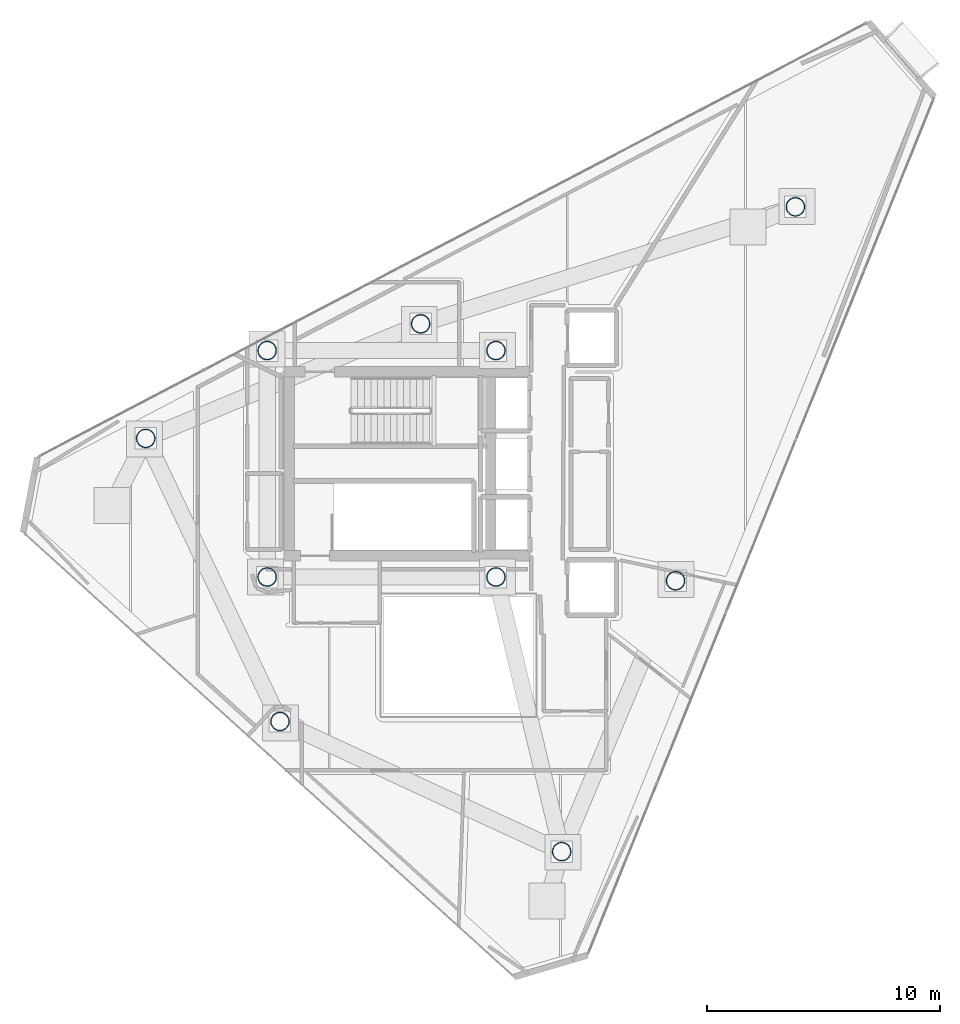
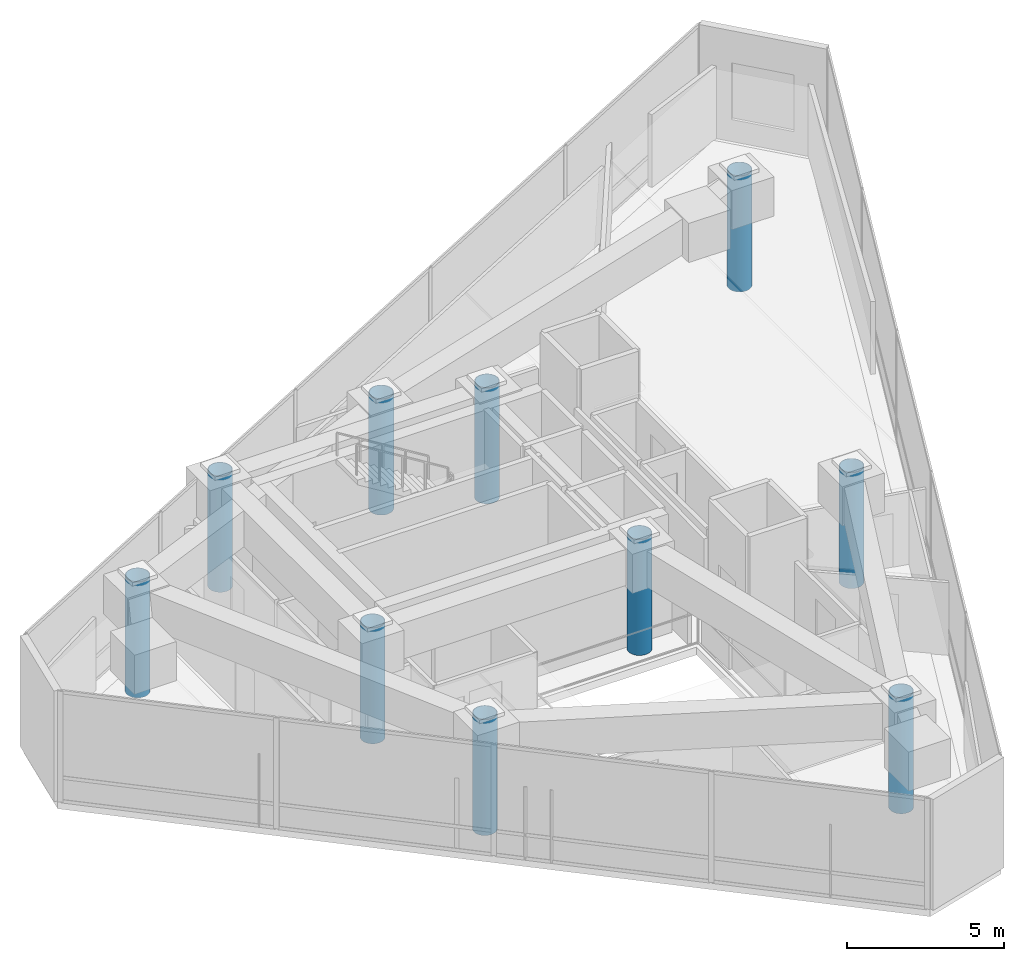
# One storey, part 1 of 17: 10 columns.
"""IFC4 building model written with IfcOpenShell, lengths in metres."""

from ifc_helpers import new_model, si_unit, direction, frame, origin, origin_2d, place, context, subcontext, project, spatial, hollow_circle, extrude, material, material_profile, profile_set, type_object, element, save


model = new_model("IFC4")

# Units and contexts
model_context = context("Model", 3, precision=1e-05, world=origin(), true_north=direction((0.0, 1.0)))
body_context = subcontext(model_context, "Body", "Model", "MODEL_VIEW")
ifc_project = project(units=[si_unit("LENGTHUNIT", "METRE"), si_unit("AREAUNIT", "SQUARE_METRE"), si_unit("VOLUMEUNIT", "CUBIC_METRE"), si_unit("PLANEANGLEUNIT", "RADIAN"), si_unit("MASSUNIT", "GRAM", prefix="KILO")], contexts=[model_context])

# Site, building, storey
site_placement = place(None, origin())
site = spatial("IfcSite", under=ifc_project, at=site_placement, CompositionType="ELEMENT")
building_placement = place(site_placement, origin())
building = spatial("IfcBuilding", under=site, at=building_placement, Name="Qianvela Tower", CompositionType="ELEMENT")
storey_placement = place(building_placement, frame((0.0, 0.0, 351.800048828125)))
storey = spatial("IfcBuildingStorey", under=building, at=storey_placement, Name="L91", CompositionType="ELEMENT", Elevation=351.800048828125)

# Columns
ifc_material = material(Name="Steel Q420GJC", Category="steel")
ifc_material_profile = material_profile(ifc_material, hollow_circle(Radius=0.39990234375, WallThickness=0.02197265625, at=origin_2d()), Name="CFT-800x22")
ifc_profile_set = profile_set([ifc_material_profile], Name="Steel Q420GJC")
column_type = type_object("IfcColumnType", Name="COL-CFT-800x22", PredefinedType="COLUMN", material=ifc_profile_set)
for number, where, z_axis, x_axis, name in (
    (1, (28.60009765625, 33.550048828125, 0.0), (0.0, 0.0, 1.0), (1.0, 0.0, 0.0), "L91 Core Corner Mega-Column CC-NW"),
    (2, (28.60009765625, 23.85009765625, 0.0), (0.0, 0.0, 1.0), (1.0, 0.0, 0.0), "L91 Core Corner Mega-Column CC-SW"),
    (3, (38.39990234375, 33.550048828125, 0.0), (0.0, 0.0, 1.0), (1.0, 0.0, 0.0), "L91 Core Corner Mega-Column CC-NE"),
    (4, (38.39990234375, 23.85009765625, 0.0), (0.0, 0.0, 1.0), (1.0, 0.0, 0.0), "L91 Core Corner Mega-Column CC-SE"),
    (5, (51.22705078125, 39.7080078125, 0.0), (0.0, 0.0, 1.0), (1.0, 0.0, 0.0), "L91 Zone Z8 CFT Mega-Column C1"),
    (6, (35.177001953125, 34.695068359375, 0.0), (0.0, 0.0, 1.0), (1.0, 0.0, 0.0), "L91 Zone Z8 CFT Mega-Column C2"),
    (7, (23.39990234375, 29.7890625, 0.0), (0.0, 0.0, 1.0), (1.0, 0.0, 0.0), "L91 Zone Z8 CFT Mega-Column C3"),
    (8, (29.14990234375, 17.662109375, 0.0), (0.0, 0.0, 1.0), (1.0, 0.0, 0.0), "L91 Zone Z8 CFT Mega-Column C4"),
    (9, (41.217041015625, 12.087890625, 0.0), (0.0, 0.0, 1.0), (1.0, 0.0, 0.0), "L91 Zone Z8 CFT Mega-Column C5"),
    (10, (46.094970703125, 23.69091796875, 0.0), (0.0, 0.0, 1.0), (1.0, 0.0, 0.0), "L91 Zone Z8 CFT Mega-Column C6"),
):
    element("IfcColumn", number, at=place(storey_placement, frame(where, z_axis=z_axis, x_axis=x_axis)), inside=storey, type_object=column_type, Name=name, PredefinedType="COLUMN", context=body_context, shape_type="SweptSolid", body=[
        extrude(hollow_circle(Radius=0.39990234375, WallThickness=0.02197265625, at=origin_2d()), origin(), (0.0, 0.0, 1.0), 4.5),
    ])

save(model, "model.ifc")
